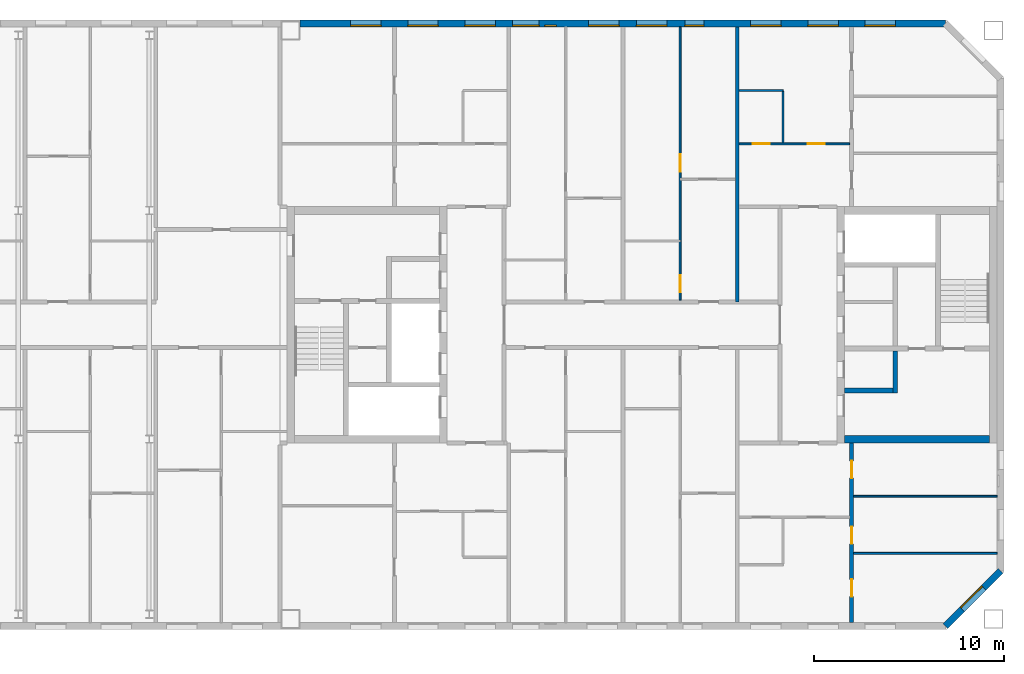
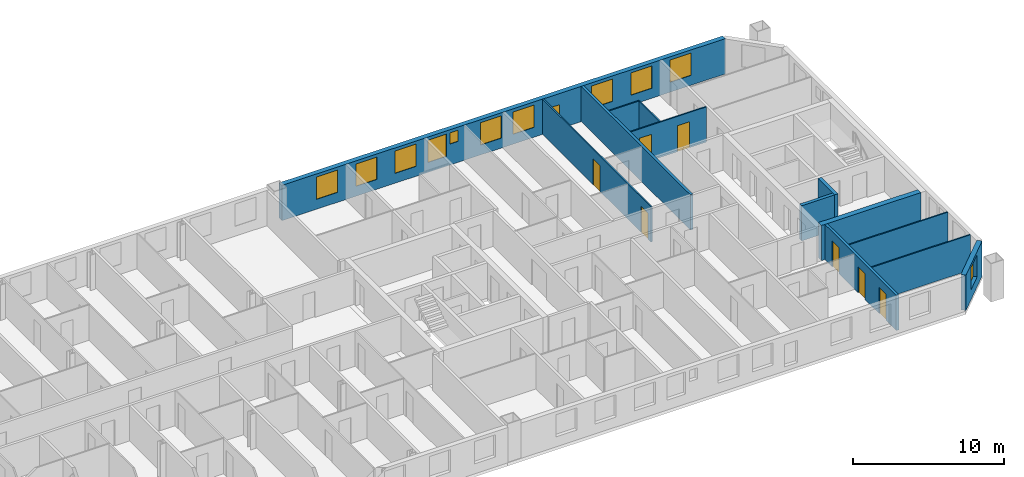
# One storey, part 16 of 19: 13 walls, 12 windows, 7 doors, 19 openings.
"""IFC4 building model written with IfcOpenShell, lengths in metres."""

from ifc_helpers import new_model, si_unit, direction, frame, frame_2d, origin, place, context, subcontext, project, spatial, rectangle, extrude, material, layer, layer_set, type_object, element, fill, save


model = new_model("IFC4")

# Units and contexts
model_context = context("Model", 3, precision=1e-05, world=origin(), true_north=direction((0.0, 1.0)))
body_context = subcontext(model_context, "Body", "Model", "MODEL_VIEW")
ifc_project = project(units=[si_unit("LENGTHUNIT", "METRE"), si_unit("AREAUNIT", "SQUARE_METRE"), si_unit("VOLUMEUNIT", "CUBIC_METRE"), si_unit("PLANEANGLEUNIT", "RADIAN"), si_unit("MASSUNIT", "GRAM", prefix="KILO")], contexts=[model_context])

# Site, building, storey
site_placement = place(None, origin())
site = spatial("IfcSite", under=ifc_project, at=site_placement, CompositionType="ELEMENT")
building_placement = place(site_placement, origin())
building = spatial("IfcBuilding", under=site, at=building_placement, Name="Tuart Gate Housing", CompositionType="ELEMENT")
storey_placement = place(building_placement, frame((0.0, 0.0, 227.60009765625)))
storey = spatial("IfcBuildingStorey", under=building, at=storey_placement, Name="L64", CompositionType="ELEMENT", Elevation=227.60009765625)

# Wall, opening, window
ifc_material_1 = material(Name="Brick", Category="masonry")
ifc_layer_1 = layer(ifc_material_1, 0.360107421875)
ifc_layer_set_1 = layer_set([ifc_layer_1], Name="Brick pier and spandrel wall 360")
wall_type_1 = type_object("IfcWallType", Name="Brick pier and spandrel wall 360", PredefinedType="STANDARD", material=ifc_layer_set_1)
wall_1_placement = place(storey_placement, frame((165.92529296875, 54.179931640625, 0.0), z_axis=(0.0, 0.0, 1.0), x_axis=(0.707106781187, 0.707106781187, 0.0)))
wall_1 = element("IfcWall", 1, at=wall_1_placement, inside=storey, type_object=wall_type_1, Name="External wall BLK-SE L64", PredefinedType="STANDARD", context=body_context, shape_type="SweptSolid", body=[
    extrude(rectangle(XDim=4.09375, YDim=0.360107421875, at=frame_2d((2.046875, 0.0))), origin(), (0.0, 0.0, 1.0), 2.849853515625),
])
opening_1_placement = place(wall_1_placement, frame((1.2470703125, 0.0, 0.800048828125)))
opening_1 = element("IfcOpeningElement", 2, at=opening_1_placement, cuts=wall_1, Name="Opening W1", PredefinedType="OPENING", context=body_context, shape_type="SweptSolid", body=[
    extrude(rectangle(XDim=1.60009765625, YDim=1.800048828125, at=frame_2d((0.800048828125, 0.89990234375))), frame((0.0, 0.18994140625, 0.0), z_axis=(0.0, -1.0, 0.0), x_axis=(1.0, 0.0, 0.0)), (0.0, 0.0, 1.0), 0.380126953125),
])
ifc_material_2 = material(Name="Aluminium frame with clear glass", Category="aluminium")
window_type_1 = type_object("IfcWindowType", Name="Punched window 1600 x 1800", PartitioningType="SINGLE_PANEL", PredefinedType="WINDOW", material=ifc_material_2)
window_1_placement = place(opening_1_placement, origin())
window_1 = element("IfcWindow", 3, at=window_1_placement, inside=storey, type_object=window_type_1, Name="Window W1", OverallHeight=1.800048828125, OverallWidth=1.60009765625, PartitioningType="SINGLE_PANEL", PredefinedType="WINDOW", context=body_context, shape_type="SweptSolid", body=[
    extrude(rectangle(XDim=1.60009765625, YDim=1.800048828125, at=frame_2d((0.800048828125, 0.89990234375))), frame((0.0, 0.150146484375, 0.0), z_axis=(0.0, -1.0, 0.0), x_axis=(1.0, 0.0, 0.0)), (0.0, 0.0, 1.0), 0.06005859375),
])
fill(opening_1, window_1)

# Wall, openings, windows
wall_2_placement = place(storey_placement, frame((165.92529296875, 85.820068359375, 0.0), z_axis=(0.0, 0.0, 1.0), x_axis=(-1.0, 0.0, 0.0)))
wall_2 = element("IfcWall", 4, at=wall_2_placement, inside=storey, type_object=wall_type_1, Name="External wall BLK-N L64", PredefinedType="STANDARD", context=body_context, shape_type="SweptSolid", body=[
    extrude(rectangle(XDim=33.875244140625, YDim=0.360107421875, at=frame_2d((16.9375, 0.0))), origin(), (0.0, 0.0, 1.0), 2.849853515625),
])
opening_2_placement = place(wall_2_placement, frame((2.62548828125, 0.0, 0.800048828125)))
opening_2 = element("IfcOpeningElement", 5, at=opening_2_placement, cuts=wall_2, Name="Opening W1", PredefinedType="OPENING", context=body_context, shape_type="SweptSolid", body=[
    extrude(rectangle(XDim=1.60009765625, YDim=1.800048828125, at=frame_2d((0.800048828125, 0.89990234375))), frame((0.0, 0.18994140625, 0.0), z_axis=(0.0, -1.0, 0.0), x_axis=(1.0, 0.0, 0.0)), (0.0, 0.0, 1.0), 0.380126953125),
])
opening_3_placement = place(wall_2_placement, frame((5.62548828125, 0.0, 0.800048828125)))
opening_3 = element("IfcOpeningElement", 6, at=opening_3_placement, cuts=wall_2, Name="Opening W1", PredefinedType="OPENING", context=body_context, shape_type="SweptSolid", body=[
    extrude(rectangle(XDim=1.60009765625, YDim=1.800048828125, at=frame_2d((0.800048828125, 0.89990234375))), frame((0.0, 0.18994140625, 0.0), z_axis=(0.0, -1.0, 0.0), x_axis=(1.0, 0.0, 0.0)), (0.0, 0.0, 1.0), 0.380126953125),
])
opening_4_placement = place(wall_2_placement, frame((8.62548828125, 0.0, 0.800048828125)))
opening_4 = element("IfcOpeningElement", 7, at=opening_4_placement, cuts=wall_2, Name="Opening W1", PredefinedType="OPENING", context=body_context, shape_type="SweptSolid", body=[
    extrude(rectangle(XDim=1.60009765625, YDim=1.800048828125, at=frame_2d((0.800048828125, 0.89990234375))), frame((0.0, 0.18994140625, 0.0), z_axis=(0.0, -1.0, 0.0), x_axis=(1.0, 0.0, 0.0)), (0.0, 0.0, 1.0), 0.380126953125),
])
opening_5_placement = place(wall_2_placement, frame((12.67529296875, 0.0, 0.14990234375)))
opening_5 = element("IfcOpeningElement", 8, at=opening_5_placement, cuts=wall_2, Name="Opening W1C", PredefinedType="OPENING", context=body_context, shape_type="SweptSolid", body=[
    extrude(rectangle(XDim=1.0, YDim=1.800048828125, at=frame_2d((0.5, 0.89990234375))), frame((0.0, 0.18994140625, 0.0), z_axis=(0.0, -1.0, 0.0), x_axis=(1.0, 0.0, 0.0)), (0.0, 0.0, 1.0), 0.380126953125),
])
opening_6_placement = place(wall_2_placement, frame((14.62548828125, 0.0, 0.800048828125)))
opening_6 = element("IfcOpeningElement", 9, at=opening_6_placement, cuts=wall_2, Name="Opening W1", PredefinedType="OPENING", context=body_context, shape_type="SweptSolid", body=[
    extrude(rectangle(XDim=1.60009765625, YDim=1.800048828125, at=frame_2d((0.800048828125, 0.89990234375))), frame((0.0, 0.18994140625, 0.0), z_axis=(0.0, -1.0, 0.0), x_axis=(1.0, 0.0, 0.0)), (0.0, 0.0, 1.0), 0.380126953125),
])
opening_7_placement = place(wall_2_placement, frame((17.12548828125, 0.0, 0.800048828125)))
opening_7 = element("IfcOpeningElement", 10, at=opening_7_placement, cuts=wall_2, Name="Opening W1", PredefinedType="OPENING", context=body_context, shape_type="SweptSolid", body=[
    extrude(rectangle(XDim=1.60009765625, YDim=1.800048828125, at=frame_2d((0.800048828125, 0.89990234375))), frame((0.0, 0.18994140625, 0.0), z_axis=(0.0, -1.0, 0.0), x_axis=(1.0, 0.0, 0.0)), (0.0, 0.0, 1.0), 0.380126953125),
])
opening_8_placement = place(wall_2_placement, frame((20.42529296875, 0.0, 1.699951171875)))
opening_8 = element("IfcOpeningElement", 11, at=opening_8_placement, cuts=wall_2, Name="Opening W1W", PredefinedType="OPENING", context=body_context, shape_type="SweptSolid", body=[
    extrude(rectangle(XDim=0.60009765625, YDim=0.89990234375, at=frame_2d((0.300048828125, 0.449951171875))), frame((0.0, 0.18994140625, 0.0), z_axis=(0.0, -1.0, 0.0), x_axis=(1.0, 0.0, 0.0)), (0.0, 0.0, 1.0), 0.380126953125),
])
opening_9_placement = place(wall_2_placement, frame((23.62548828125, 0.0, 0.800048828125)))
opening_9 = element("IfcOpeningElement", 12, at=opening_9_placement, cuts=wall_2, Name="Opening W1", PredefinedType="OPENING", context=body_context, shape_type="SweptSolid", body=[
    extrude(rectangle(XDim=1.60009765625, YDim=1.800048828125, at=frame_2d((0.800048828125, 0.89990234375))), frame((0.0, 0.18994140625, 0.0), z_axis=(0.0, -1.0, 0.0), x_axis=(1.0, 0.0, 0.0)), (0.0, 0.0, 1.0), 0.380126953125),
])
opening_10_placement = place(wall_2_placement, frame((26.62548828125, 0.0, 0.800048828125)))
opening_10 = element("IfcOpeningElement", 13, at=opening_10_placement, cuts=wall_2, Name="Opening W1", PredefinedType="OPENING", context=body_context, shape_type="SweptSolid", body=[
    extrude(rectangle(XDim=1.60009765625, YDim=1.800048828125, at=frame_2d((0.800048828125, 0.89990234375))), frame((0.0, 0.18994140625, 0.0), z_axis=(0.0, -1.0, 0.0), x_axis=(1.0, 0.0, 0.0)), (0.0, 0.0, 1.0), 0.380126953125),
])
opening_11_placement = place(wall_2_placement, frame((29.62548828125, 0.0, 0.800048828125)))
opening_11 = element("IfcOpeningElement", 14, at=opening_11_placement, cuts=wall_2, Name="Opening W1", PredefinedType="OPENING", context=body_context, shape_type="SweptSolid", body=[
    extrude(rectangle(XDim=1.60009765625, YDim=1.800048828125, at=frame_2d((0.800048828125, 0.89990234375))), frame((0.0, 0.18994140625, 0.0), z_axis=(0.0, -1.0, 0.0), x_axis=(1.0, 0.0, 0.0)), (0.0, 0.0, 1.0), 0.380126953125),
])
opening_12_placement = place(wall_2_placement, frame((21.325439453125, 0.0, 0.800048828125)))
opening_12 = element("IfcOpeningElement", 15, at=opening_12_placement, cuts=wall_2, Name="Opening W1A", PredefinedType="OPENING", context=body_context, shape_type="SweptSolid", body=[
    extrude(rectangle(XDim=1.39990234375, YDim=1.800048828125, at=frame_2d((0.699951171875, 0.89990234375))), frame((0.0, 0.18994140625, 0.0), z_axis=(0.0, -1.0, 0.0), x_axis=(1.0, 0.0, 0.0)), (0.0, 0.0, 1.0), 0.380126953125),
])
ifc_material_3 = material(Name="Aluminium frame with clear glass", Category="aluminium")
window_type_2 = type_object("IfcWindowType", Name="Punched window 1000 x 1800", PartitioningType="SINGLE_PANEL", PredefinedType="WINDOW", material=ifc_material_3)
window_2_placement = place(opening_5_placement, origin())
window_2 = element("IfcWindow", 16, at=window_2_placement, inside=storey, type_object=window_type_2, Name="Window W1C", OverallHeight=1.800048828125, OverallWidth=1.0, PartitioningType="SINGLE_PANEL", PredefinedType="WINDOW", context=body_context, shape_type="SweptSolid", body=[
    extrude(rectangle(XDim=1.0, YDim=1.800048828125, at=frame_2d((0.5, 0.89990234375))), frame((0.0, 0.150146484375, 0.0), z_axis=(0.0, -1.0, 0.0), x_axis=(1.0, 0.0, 0.0)), (0.0, 0.0, 1.0), 0.06005859375),
])
fill(opening_5, window_2)
ifc_material_4 = material(Name="Aluminium frame with clear glass", Category="aluminium")
window_type_3 = type_object("IfcWindowType", Name="Punched window 1400 x 1800", PartitioningType="SINGLE_PANEL", PredefinedType="WINDOW", material=ifc_material_4)
window_3_placement = place(opening_12_placement, origin())
window_3 = element("IfcWindow", 17, at=window_3_placement, inside=storey, type_object=window_type_3, Name="Window W1A", OverallHeight=1.800048828125, OverallWidth=1.39990234375, PartitioningType="SINGLE_PANEL", PredefinedType="WINDOW", context=body_context, shape_type="SweptSolid", body=[
    extrude(rectangle(XDim=1.39990234375, YDim=1.800048828125, at=frame_2d((0.699951171875, 0.89990234375))), frame((0.0, 0.150146484375, 0.0), z_axis=(0.0, -1.0, 0.0), x_axis=(1.0, 0.0, 0.0)), (0.0, 0.0, 1.0), 0.06005859375),
])
fill(opening_12, window_3)
window_4_placement = place(opening_2_placement, origin())
window_4 = element("IfcWindow", 18, at=window_4_placement, inside=storey, type_object=window_type_1, Name="Window W1", OverallHeight=1.800048828125, OverallWidth=1.60009765625, PartitioningType="SINGLE_PANEL", PredefinedType="WINDOW", context=body_context, shape_type="SweptSolid", body=[
    extrude(rectangle(XDim=1.60009765625, YDim=1.800048828125, at=frame_2d((0.800048828125, 0.89990234375))), frame((0.0, 0.150146484375, 0.0), z_axis=(0.0, -1.0, 0.0), x_axis=(1.0, 0.0, 0.0)), (0.0, 0.0, 1.0), 0.06005859375),
])
fill(opening_2, window_4)
window_5_placement = place(opening_3_placement, origin())
window_5 = element("IfcWindow", 19, at=window_5_placement, inside=storey, type_object=window_type_1, Name="Window W1", OverallHeight=1.800048828125, OverallWidth=1.60009765625, PartitioningType="SINGLE_PANEL", PredefinedType="WINDOW", context=body_context, shape_type="SweptSolid", body=[
    extrude(rectangle(XDim=1.60009765625, YDim=1.800048828125, at=frame_2d((0.800048828125, 0.89990234375))), frame((0.0, 0.150146484375, 0.0), z_axis=(0.0, -1.0, 0.0), x_axis=(1.0, 0.0, 0.0)), (0.0, 0.0, 1.0), 0.06005859375),
])
fill(opening_3, window_5)
window_6_placement = place(opening_4_placement, origin())
window_6 = element("IfcWindow", 20, at=window_6_placement, inside=storey, type_object=window_type_1, Name="Window W1", OverallHeight=1.800048828125, OverallWidth=1.60009765625, PartitioningType="SINGLE_PANEL", PredefinedType="WINDOW", context=body_context, shape_type="SweptSolid", body=[
    extrude(rectangle(XDim=1.60009765625, YDim=1.800048828125, at=frame_2d((0.800048828125, 0.89990234375))), frame((0.0, 0.150146484375, 0.0), z_axis=(0.0, -1.0, 0.0), x_axis=(1.0, 0.0, 0.0)), (0.0, 0.0, 1.0), 0.06005859375),
])
fill(opening_4, window_6)
window_7_placement = place(opening_6_placement, origin())
window_7 = element("IfcWindow", 21, at=window_7_placement, inside=storey, type_object=window_type_1, Name="Window W1", OverallHeight=1.800048828125, OverallWidth=1.60009765625, PartitioningType="SINGLE_PANEL", PredefinedType="WINDOW", context=body_context, shape_type="SweptSolid", body=[
    extrude(rectangle(XDim=1.60009765625, YDim=1.800048828125, at=frame_2d((0.800048828125, 0.89990234375))), frame((0.0, 0.150146484375, 0.0), z_axis=(0.0, -1.0, 0.0), x_axis=(1.0, 0.0, 0.0)), (0.0, 0.0, 1.0), 0.06005859375),
])
fill(opening_6, window_7)
window_8_placement = place(opening_7_placement, origin())
window_8 = element("IfcWindow", 22, at=window_8_placement, inside=storey, type_object=window_type_1, Name="Window W1", OverallHeight=1.800048828125, OverallWidth=1.60009765625, PartitioningType="SINGLE_PANEL", PredefinedType="WINDOW", context=body_context, shape_type="SweptSolid", body=[
    extrude(rectangle(XDim=1.60009765625, YDim=1.800048828125, at=frame_2d((0.800048828125, 0.89990234375))), frame((0.0, 0.150146484375, 0.0), z_axis=(0.0, -1.0, 0.0), x_axis=(1.0, 0.0, 0.0)), (0.0, 0.0, 1.0), 0.06005859375),
])
fill(opening_7, window_8)
window_9_placement = place(opening_9_placement, origin())
window_9 = element("IfcWindow", 23, at=window_9_placement, inside=storey, type_object=window_type_1, Name="Window W1", OverallHeight=1.800048828125, OverallWidth=1.60009765625, PartitioningType="SINGLE_PANEL", PredefinedType="WINDOW", context=body_context, shape_type="SweptSolid", body=[
    extrude(rectangle(XDim=1.60009765625, YDim=1.800048828125, at=frame_2d((0.800048828125, 0.89990234375))), frame((0.0, 0.150146484375, 0.0), z_axis=(0.0, -1.0, 0.0), x_axis=(1.0, 0.0, 0.0)), (0.0, 0.0, 1.0), 0.06005859375),
])
fill(opening_9, window_9)
window_10_placement = place(opening_10_placement, origin())
window_10 = element("IfcWindow", 24, at=window_10_placement, inside=storey, type_object=window_type_1, Name="Window W1", OverallHeight=1.800048828125, OverallWidth=1.60009765625, PartitioningType="SINGLE_PANEL", PredefinedType="WINDOW", context=body_context, shape_type="SweptSolid", body=[
    extrude(rectangle(XDim=1.60009765625, YDim=1.800048828125, at=frame_2d((0.800048828125, 0.89990234375))), frame((0.0, 0.150146484375, 0.0), z_axis=(0.0, -1.0, 0.0), x_axis=(1.0, 0.0, 0.0)), (0.0, 0.0, 1.0), 0.06005859375),
])
fill(opening_10, window_10)
window_11_placement = place(opening_11_placement, origin())
window_11 = element("IfcWindow", 25, at=window_11_placement, inside=storey, type_object=window_type_1, Name="Window W1", OverallHeight=1.800048828125, OverallWidth=1.60009765625, PartitioningType="SINGLE_PANEL", PredefinedType="WINDOW", context=body_context, shape_type="SweptSolid", body=[
    extrude(rectangle(XDim=1.60009765625, YDim=1.800048828125, at=frame_2d((0.800048828125, 0.89990234375))), frame((0.0, 0.150146484375, 0.0), z_axis=(0.0, -1.0, 0.0), x_axis=(1.0, 0.0, 0.0)), (0.0, 0.0, 1.0), 0.06005859375),
])
fill(opening_11, window_11)
ifc_material_5 = material(Name="Aluminium frame with clear glass", Category="aluminium")
window_type_4 = type_object("IfcWindowType", Name="Punched window 600 x 900", PartitioningType="SINGLE_PANEL", PredefinedType="WINDOW", material=ifc_material_5)
window_12_placement = place(opening_8_placement, origin())
window_12 = element("IfcWindow", 26, at=window_12_placement, inside=storey, type_object=window_type_4, Name="Window W1W", OverallHeight=0.89990234375, OverallWidth=0.60009765625, PartitioningType="SINGLE_PANEL", PredefinedType="WINDOW", context=body_context, shape_type="SweptSolid", body=[
    extrude(rectangle(XDim=0.60009765625, YDim=0.89990234375, at=frame_2d((0.300048828125, 0.449951171875))), frame((0.0, 0.150146484375, 0.0), z_axis=(0.0, -1.0, 0.0), x_axis=(1.0, 0.0, 0.0)), (0.0, 0.0, 1.0), 0.06005859375),
])
fill(opening_8, window_12)

# Walls
ifc_material_6 = material(Name="Concrete C40", Category="concrete")
ifc_layer_2 = layer(ifc_material_6, 0.25)
ifc_layer_set_2 = layer_set([ifc_layer_2], Name="Core wall 250 C40")
wall_type_2 = type_object("IfcWallType", Name="Core wall 250 C40", PredefinedType="SHEAR", material=ifc_layer_set_2)
wall_3_placement = place(storey_placement, frame((160.639892578125, 66.550048828125, 0.0), z_axis=(0.0, 0.0, 1.0), x_axis=(1.0, 0.0, 0.0)))
element("IfcWall", 27, at=wall_3_placement, inside=storey, type_object=wall_type_2, Name="Core wall BK.4", PredefinedType="SHEAR", context=body_context, shape_type="SweptSolid", body=[
    extrude(rectangle(XDim=2.525146484375, YDim=0.25, at=frame_2d((1.2626953125, 0.0))), origin(), (0.0, 0.0, 1.0), 2.849853515625),
])
wall_4_placement = place(storey_placement, frame((163.2900390625, 68.625, 0.0), z_axis=(0.0, 0.0, 1.0), x_axis=(0.0, -1.0, 0.0)))
element("IfcWall", 28, at=wall_4_placement, inside=storey, type_object=wall_type_2, Name="Core wall BK.6", PredefinedType="SHEAR", context=body_context, shape_type="SweptSolid", body=[
    extrude(rectangle(XDim=2.199951171875, YDim=0.25, at=frame_2d((1.10009765625, 0.0))), origin(), (0.0, 0.0, 1.0), 2.849853515625),
])
ifc_material_7 = material(Name="Concrete C40", Category="concrete")
ifc_layer_3 = layer(ifc_material_7, 0.39990234375)
ifc_layer_set_3 = layer_set([ifc_layer_3], Name="Core wall 400 C40")
wall_type_3 = type_object("IfcWallType", Name="Core wall 400 C40", PredefinedType="SHEAR", material=ifc_layer_set_3)
wall_5_placement = place(storey_placement, frame((160.639892578125, 64.0, 0.0), z_axis=(0.0, 0.0, 1.0), x_axis=(1.0, 0.0, 0.0)))
element("IfcWall", 29, at=wall_5_placement, inside=storey, type_object=wall_type_3, Name="Core wall BK north", PredefinedType="SHEAR", context=body_context, shape_type="SweptSolid", body=[
    extrude(rectangle(XDim=7.60009765625, YDim=0.39990234375, at=frame_2d((3.800048828125, 0.0))), origin(), (0.0, 0.0, 1.0), 2.849853515625),
])
ifc_material_8 = material(Name="Gypsum board on steel studs", Category="steel")
ifc_layer_4 = layer(ifc_material_8, 0.10009765625)
ifc_layer_set_4 = layer_set([ifc_layer_4], Name="Partition 100")
wall_type_4 = type_object("IfcWallType", Name="Partition 100", PredefinedType="PARTITIONING", material=ifc_layer_set_4)
for number, where, z_axis, x_axis, name in (
    (30, (161.10009765625, 58.0, 0.0), (0.0, 0.0, 1.0), (1.0, 0.0, 0.0), "Partition 100"),
    (31, (161.10009765625, 61.0, 0.0), (0.0, 0.0, 1.0), (1.0, 0.0, 0.0), "Partition 100"),
):
    element("IfcWall", number, at=place(storey_placement, frame(where, z_axis=z_axis, x_axis=x_axis)), inside=storey, type_object=wall_type_4, Name=name, PredefinedType="PARTITIONING", context=body_context, shape_type="SweptSolid", body=[
        extrude(rectangle(XDim=7.539794921875, YDim=0.10009765625, at=frame_2d((3.77001953125, 0.0))), origin(), (0.0, 0.0, 1.0), 2.849853515625),
    ])

# Wall, openings, doors
wall_6_placement = place(storey_placement, frame((155.10009765625, 79.5, 0.0), z_axis=(0.0, 0.0, 1.0), x_axis=(1.0, 0.0, 0.0)))
wall_6 = element("IfcWall", 32, at=wall_6_placement, inside=storey, type_object=wall_type_4, Name="Partition 100", PredefinedType="PARTITIONING", context=body_context, shape_type="SweptSolid", body=[
    extrude(rectangle(XDim=5.7998046875, YDim=0.10009765625, at=frame_2d((2.89990234375, 0.0))), origin(), (0.0, 0.0, 1.0), 2.849853515625),
])
opening_13_placement = place(wall_6_placement, frame((3.60009765625, 0.0, 0.0)))
opening_13 = element("IfcOpeningElement", 33, at=opening_13_placement, cuts=wall_6, Name="Opening D2399", PredefinedType="OPENING", context=body_context, shape_type="SweptSolid", body=[
    extrude(rectangle(XDim=0.89990234375, YDim=2.10009765625, at=frame_2d((0.449951171875, 1.050048828125))), frame((0.0, 0.06005859375, 0.0), z_axis=(0.0, -1.0, 0.0), x_axis=(1.0, 0.0, 0.0)), (0.0, 0.0, 1.0), 0.1201171875),
])
opening_14_placement = place(wall_6_placement, frame((0.699951171875, 0.0, 0.0)))
opening_14 = element("IfcOpeningElement", 34, at=opening_14_placement, cuts=wall_6, Name="Opening D2398", PredefinedType="OPENING", context=body_context, shape_type="SweptSolid", body=[
    extrude(rectangle(XDim=0.89990234375, YDim=2.10009765625, at=frame_2d((0.449951171875, 1.050048828125))), frame((0.0, 0.06005859375, 0.0), z_axis=(0.0, -1.0, 0.0), x_axis=(1.0, 0.0, 0.0)), (0.0, 0.0, 1.0), 0.1201171875),
])
ifc_material_9 = material(Name="Timber door leaf in steel frame", Category="steel")
door_type_1 = type_object("IfcDoorType", Name="Bathroom door 900 RH", OperationType="SINGLE_SWING_RIGHT", PredefinedType="DOOR", material=ifc_material_9)
door_1_placement = place(opening_14_placement, origin())
door_1 = element("IfcDoor", 35, at=door_1_placement, inside=storey, type_object=door_type_1, Name="Bathroom door", OperationType="SINGLE_SWING_RIGHT", OverallHeight=2.10009765625, OverallWidth=0.89990234375, PredefinedType="DOOR", context=body_context, shape_type="SweptSolid", body=[
    extrude(rectangle(XDim=0.89990234375, YDim=2.10009765625, at=frame_2d((0.449951171875, 1.050048828125))), frame((0.0, 0.02490234375, 0.0), z_axis=(0.0, -1.0, 0.0), x_axis=(1.0, 0.0, 0.0)), (0.0, 0.0, 1.0), 0.050048828125),
])
fill(opening_14, door_1)
ifc_material_10 = material(Name="Timber door leaf in steel frame", Category="steel")
door_type_2 = type_object("IfcDoorType", Name="Internal door 900", OperationType="SINGLE_SWING_LEFT", PredefinedType="DOOR", material=ifc_material_10)
door_2_placement = place(opening_13_placement, frame((0.89990234375, 0.0, 0.0), z_axis=(0.0, 0.0, 1.0), x_axis=(-1.0, 0.0, 0.0)))
door_2 = element("IfcDoor", 36, at=door_2_placement, inside=storey, type_object=door_type_2, Name="Internal door", OperationType="SINGLE_SWING_LEFT", OverallHeight=2.10009765625, OverallWidth=0.89990234375, PredefinedType="DOOR", context=body_context, shape_type="SweptSolid", body=[
    extrude(rectangle(XDim=0.89990234375, YDim=2.10009765625, at=frame_2d((0.449951171875, 1.050048828125))), frame((0.0, 0.025146484375, 0.0), z_axis=(0.0, -1.0, 0.0), x_axis=(1.0, 0.0, 0.0)), (0.0, 0.0, 1.0), 0.050048828125),
])
fill(opening_13, door_2)

# Wall
wall_7_placement = place(storey_placement, frame((155.10009765625, 82.300048828125, 0.0), z_axis=(0.0, 0.0, 1.0), x_axis=(1.0, 0.0, 0.0)))
element("IfcWall", 37, at=wall_7_placement, inside=storey, type_object=wall_type_4, Name="Partition 100", PredefinedType="PARTITIONING", context=body_context, shape_type="SweptSolid", body=[
    extrude(rectangle(XDim=2.2998046875, YDim=0.10009765625, at=frame_2d((1.14990234375, 0.0))), origin(), (0.0, 0.0, 1.0), 2.849853515625),
])

# Wall, openings, doors
wall_8_placement = place(storey_placement, frame((152.0, 71.300048828125, 0.0), z_axis=(0.0, 0.0, 1.0), x_axis=(0.0, 1.0, 0.0)))
wall_8 = element("IfcWall", 38, at=wall_8_placement, inside=storey, type_object=wall_type_4, Name="Partition 100", PredefinedType="PARTITIONING", context=body_context, shape_type="SweptSolid", body=[
    extrude(rectangle(XDim=14.33984375, YDim=0.10009765625, at=frame_2d((7.169921875, 0.0))), origin(), (0.0, 0.0, 1.0), 2.849853515625),
])
opening_15_placement = place(wall_8_placement, frame((6.739990234375, 0.0, 0.0)))
opening_15 = element("IfcOpeningElement", 39, at=opening_15_placement, cuts=wall_8, Name="Opening D2403", PredefinedType="OPENING", context=body_context, shape_type="SweptSolid", body=[
    extrude(rectangle(XDim=0.89990234375, YDim=2.10009765625, at=frame_2d((0.449951171875, 1.050048828125))), frame((0.0, 0.06005859375, 0.0), z_axis=(0.0, -1.0, 0.0), x_axis=(1.0, 0.0, 0.0)), (0.0, 0.0, 1.0), 0.1201171875),
])
opening_16_placement = place(wall_8_placement, frame((0.39990234375, 0.0, 0.0)))
opening_16 = element("IfcOpeningElement", 40, at=opening_16_placement, cuts=wall_8, Name="Opening D2402", PredefinedType="OPENING", context=body_context, shape_type="SweptSolid", body=[
    extrude(rectangle(XDim=0.89990234375, YDim=2.10009765625, at=frame_2d((0.449951171875, 1.050048828125))), frame((0.0, 0.06005859375, 0.0), z_axis=(0.0, -1.0, 0.0), x_axis=(1.0, 0.0, 0.0)), (0.0, 0.0, 1.0), 0.1201171875),
])
ifc_material_11 = material(Name="Timber door leaf in steel frame", Category="steel")
door_type_3 = type_object("IfcDoorType", Name="Bathroom door 900", OperationType="SINGLE_SWING_LEFT", PredefinedType="DOOR", material=ifc_material_11)
door_3_placement = place(opening_16_placement, origin())
door_3 = element("IfcDoor", 41, at=door_3_placement, inside=storey, type_object=door_type_3, Name="Bathroom door", OperationType="SINGLE_SWING_LEFT", OverallHeight=2.10009765625, OverallWidth=0.89990234375, PredefinedType="DOOR", context=body_context, shape_type="SweptSolid", body=[
    extrude(rectangle(XDim=0.89990234375, YDim=2.10009765625, at=frame_2d((0.449951171875, 1.050048828125))), frame((0.0, 0.02490234375, 0.0), z_axis=(0.0, -1.0, 0.0), x_axis=(1.0, 0.0, 0.0)), (0.0, 0.0, 1.0), 0.050048828125),
])
fill(opening_16, door_3)
door_4_placement = place(opening_15_placement, origin())
door_4 = element("IfcDoor", 42, at=door_4_placement, inside=storey, type_object=door_type_2, Name="Internal door", OperationType="SINGLE_SWING_LEFT", OverallHeight=2.10009765625, OverallWidth=0.89990234375, PredefinedType="DOOR", context=body_context, shape_type="SweptSolid", body=[
    extrude(rectangle(XDim=0.89990234375, YDim=2.10009765625, at=frame_2d((0.449951171875, 1.050048828125))), frame((0.0, 0.02490234375, 0.0), z_axis=(0.0, -1.0, 0.0), x_axis=(1.0, 0.0, 0.0)), (0.0, 0.0, 1.0), 0.050048828125),
])
fill(opening_15, door_4)

# Walls
wall_9_placement = place(storey_placement, frame((157.39990234375, 79.550048828125, 0.0), z_axis=(0.0, 0.0, 1.0), x_axis=(0.0, 1.0, 0.0)))
element("IfcWall", 43, at=wall_9_placement, inside=storey, type_object=wall_type_4, Name="Partition 100", PredefinedType="PARTITIONING", context=body_context, shape_type="SweptSolid", body=[
    extrude(rectangle(XDim=2.699951171875, YDim=0.10009765625, at=frame_2d((1.35009765625, 0.0))), origin(), (0.0, 0.0, 1.0), 2.849853515625),
])
ifc_material_12 = material(Name="Concrete C40", Category="concrete")
ifc_layer_5 = layer(ifc_material_12, 0.199951171875)
ifc_layer_set_5 = layer_set([ifc_layer_5], Name="Party wall concrete C40 200")
wall_type_5 = type_object("IfcWallType", Name="Party wall concrete C40 200", PredefinedType="SOLIDWALL", material=ifc_layer_set_5)
wall_10_placement = place(storey_placement, frame((155.0, 71.199951171875, 0.0), z_axis=(0.0, 0.0, 1.0), x_axis=(0.0, 1.0, 0.0)))
element("IfcWall", 44, at=wall_10_placement, inside=storey, type_object=wall_type_5, Name="Party wall concrete C40 200", PredefinedType="SOLIDWALL", context=body_context, shape_type="SweptSolid", body=[
    extrude(rectangle(XDim=14.43994140625, YDim=0.199951171875, at=frame_2d((7.219970703125, 0.0))), origin(), (0.0, 0.0, 1.0), 2.849853515625),
])

# Wall, openings, doors
wall_11_placement = place(storey_placement, frame((161.0, 54.360107421875, 0.0), z_axis=(0.0, 0.0, 1.0), x_axis=(0.0, 1.0, 0.0)))
wall_11 = element("IfcWall", 45, at=wall_11_placement, inside=storey, type_object=wall_type_5, Name="Party wall concrete C40 200", PredefinedType="SOLIDWALL", context=body_context, shape_type="SweptSolid", body=[
    extrude(rectangle(XDim=9.43994140625, YDim=0.199951171875, at=frame_2d((4.719970703125, 0.0))), origin(), (0.0, 0.0, 1.0), 2.849853515625),
])
opening_17_placement = place(wall_11_placement, frame((1.3701171875, 0.0, 0.0)))
opening_17 = element("IfcOpeningElement", 46, at=opening_17_placement, cuts=wall_11, Name="Opening D2440", PredefinedType="OPENING", context=body_context, shape_type="SweptSolid", body=[
    extrude(rectangle(XDim=0.89990234375, YDim=2.10009765625, at=frame_2d((0.449951171875, 1.050048828125))), frame((0.0, 0.10986328125, 0.0), z_axis=(0.0, -1.0, 0.0), x_axis=(1.0, 0.0, 0.0)), (0.0, 0.0, 1.0), 0.219970703125),
])
opening_18_placement = place(wall_11_placement, frame((4.139892578125, 0.0, 0.0)))
opening_18 = element("IfcOpeningElement", 47, at=opening_18_placement, cuts=wall_11, Name="Opening D2441", PredefinedType="OPENING", context=body_context, shape_type="SweptSolid", body=[
    extrude(rectangle(XDim=0.89990234375, YDim=2.10009765625, at=frame_2d((0.449951171875, 1.050048828125))), frame((0.0, 0.10986328125, 0.0), z_axis=(0.0, -1.0, 0.0), x_axis=(1.0, 0.0, 0.0)), (0.0, 0.0, 1.0), 0.219970703125),
])
opening_19_placement = place(wall_11_placement, frame((7.590087890625, 0.0, 0.0)))
opening_19 = element("IfcOpeningElement", 48, at=opening_19_placement, cuts=wall_11, Name="Opening D2442", PredefinedType="OPENING", context=body_context, shape_type="SweptSolid", body=[
    extrude(rectangle(XDim=0.89990234375, YDim=2.10009765625, at=frame_2d((0.449951171875, 1.050048828125))), frame((0.0, 0.10986328125, 0.0), z_axis=(0.0, -1.0, 0.0), x_axis=(1.0, 0.0, 0.0)), (0.0, 0.0, 1.0), 0.219970703125),
])
ifc_material_13 = material(Name="Timber door leaf in steel frame", Category="steel")
door_type_4 = type_object("IfcDoorType", Name="Internal door 900 RH", OperationType="SINGLE_SWING_RIGHT", PredefinedType="DOOR", material=ifc_material_13)
door_5_placement = place(opening_17_placement, frame((0.89990234375, 0.0, 0.0), z_axis=(0.0, 0.0, 1.0), x_axis=(-1.0, 0.0, 0.0)))
door_5 = element("IfcDoor", 49, at=door_5_placement, inside=storey, type_object=door_type_4, Name="Internal door", OperationType="SINGLE_SWING_RIGHT", OverallHeight=2.10009765625, OverallWidth=0.89990234375, PredefinedType="DOOR", context=body_context, shape_type="SweptSolid", body=[
    extrude(rectangle(XDim=0.89990234375, YDim=2.10009765625, at=frame_2d((0.449951171875, 1.050048828125))), frame((0.0, 0.025146484375, 0.0), z_axis=(0.0, -1.0, 0.0), x_axis=(1.0, 0.0, 0.0)), (0.0, 0.0, 1.0), 0.050048828125),
])
fill(opening_17, door_5)
door_6_placement = place(opening_18_placement, frame((0.89990234375, 0.0, 0.0), z_axis=(0.0, 0.0, 1.0), x_axis=(-1.0, 0.0, 0.0)))
door_6 = element("IfcDoor", 50, at=door_6_placement, inside=storey, type_object=door_type_4, Name="Internal door", OperationType="SINGLE_SWING_RIGHT", OverallHeight=2.10009765625, OverallWidth=0.89990234375, PredefinedType="DOOR", context=body_context, shape_type="SweptSolid", body=[
    extrude(rectangle(XDim=0.89990234375, YDim=2.10009765625, at=frame_2d((0.449951171875, 1.050048828125))), frame((0.0, 0.025146484375, 0.0), z_axis=(0.0, -1.0, 0.0), x_axis=(1.0, 0.0, 0.0)), (0.0, 0.0, 1.0), 0.050048828125),
])
fill(opening_18, door_6)
door_7_placement = place(opening_19_placement, frame((0.89990234375, 0.0, 0.0), z_axis=(0.0, 0.0, 1.0), x_axis=(-1.0, 0.0, 0.0)))
door_7 = element("IfcDoor", 51, at=door_7_placement, inside=storey, type_object=door_type_4, Name="Internal door", OperationType="SINGLE_SWING_RIGHT", OverallHeight=2.10009765625, OverallWidth=0.89990234375, PredefinedType="DOOR", context=body_context, shape_type="SweptSolid", body=[
    extrude(rectangle(XDim=0.89990234375, YDim=2.10009765625, at=frame_2d((0.449951171875, 1.050048828125))), frame((0.0, 0.025146484375, 0.0), z_axis=(0.0, -1.0, 0.0), x_axis=(1.0, 0.0, 0.0)), (0.0, 0.0, 1.0), 0.050048828125),
])
fill(opening_19, door_7)

save(model, "model.ifc")
